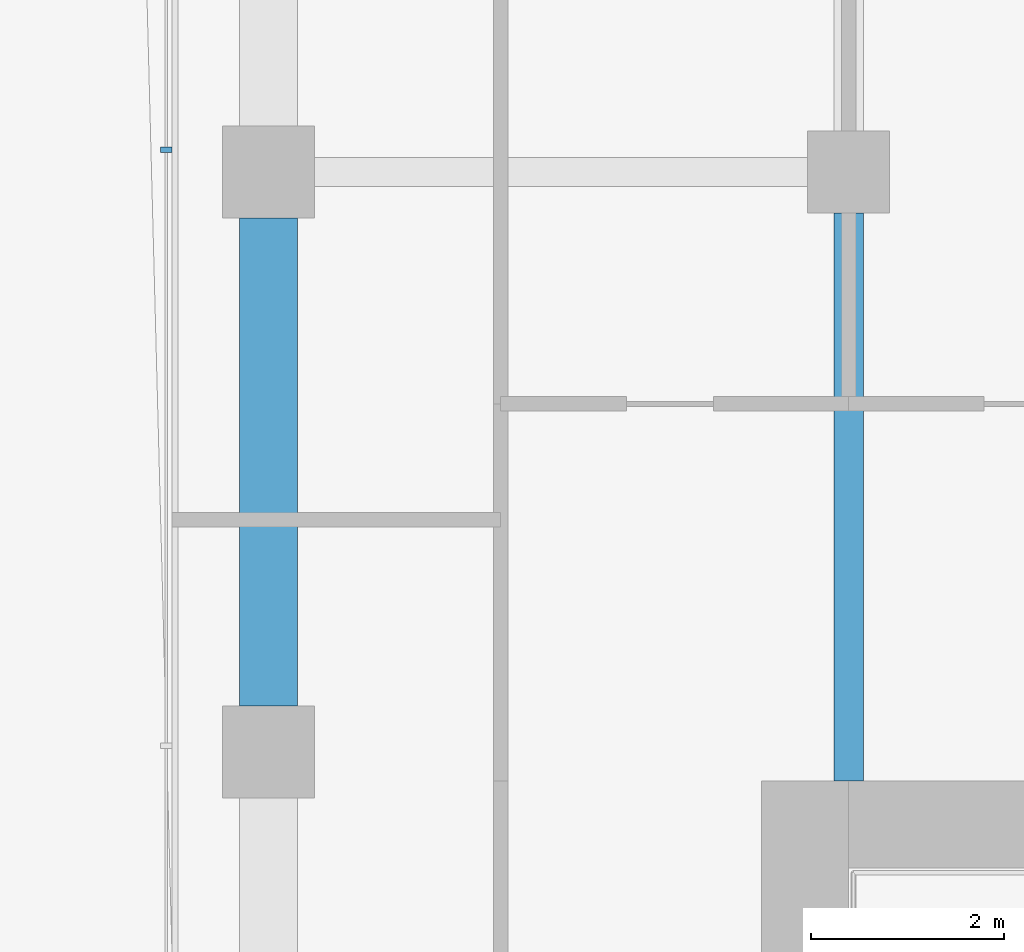
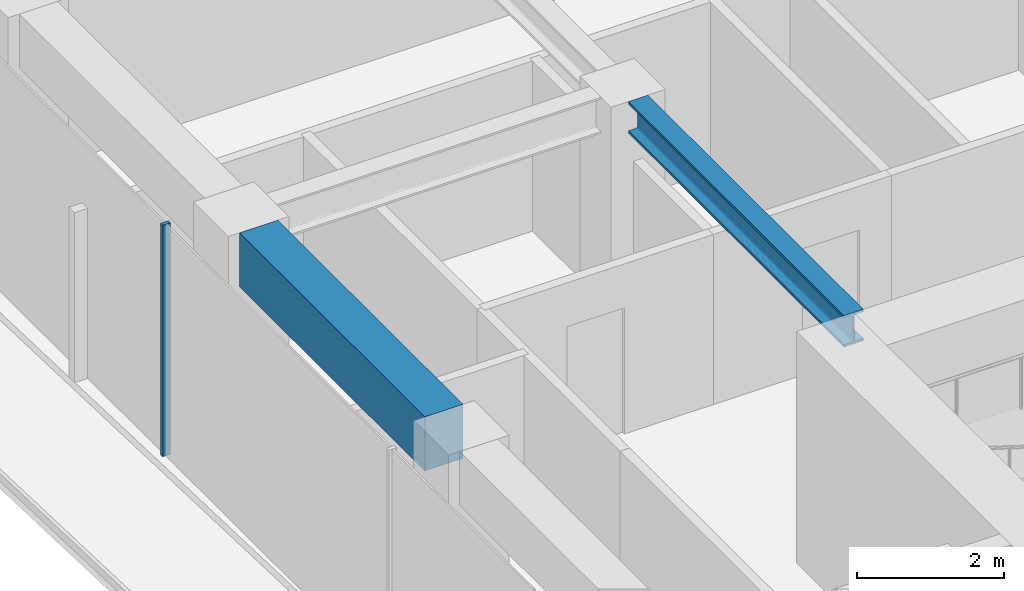
# One storey, part 13 of 29: 2 beams, 1 member, 1 element without a shape of its own.
"""IFC4 building model written with IfcOpenShell, lengths in metres."""

from ifc_helpers import new_model, si_unit, direction, frame, origin, origin_2d, place, context, subcontext, project, spatial, rectangle, i_section, extrude, material, layer, layer_set, material_profile, profile_set, type_object, element, aggregate, save


model = new_model("IFC4")

# Units and contexts
model_context = context("Model", 3, precision=1e-05, world=origin(), true_north=direction((0.0, 1.0)))
body_context = subcontext(model_context, "Body", "Model", "MODEL_VIEW")
ifc_project = project(units=[si_unit("LENGTHUNIT", "METRE"), si_unit("AREAUNIT", "SQUARE_METRE"), si_unit("VOLUMEUNIT", "CUBIC_METRE"), si_unit("PLANEANGLEUNIT", "RADIAN"), si_unit("MASSUNIT", "GRAM", prefix="KILO")], contexts=[model_context])

# Site, building, storey
site_placement = place(None, origin())
site = spatial("IfcSite", under=ifc_project, at=site_placement, CompositionType="ELEMENT")
building_placement = place(site_placement, origin())
building = spatial("IfcBuilding", under=site, at=building_placement, Name="Welwitschia Terrace Campus", CompositionType="ELEMENT")
storey_placement = place(building_placement, frame((0.0, 0.0, 58.39990234375)))
storey = spatial("IfcBuildingStorey", under=building, at=storey_placement, Name="L13", CompositionType="ELEMENT", Elevation=58.39990234375)

# Beam
ifc_material_1 = material(Name="Steel S355", Category="steel")
ifc_material_profile_1 = material_profile(ifc_material_1, i_section(OverallWidth=0.305908203125, OverallDepth=0.52392578125, WebThickness=0.02099609375, FlangeThickness=0.0400390625, FilletRadius=0.027099609375, at=origin_2d()))
ifc_profile_set_1 = profile_set([ifc_material_profile_1], Name="Steel S355")
beam_type_1 = type_object("IfcBeamType", Name="Interior girder HE 500 M", PredefinedType="BEAM", material=ifc_profile_set_1)
beam_1_placement = place(storey_placement, frame((6.0, 25.700927734375, 3.588134765625), z_axis=(0.0, 1.0, 0.0), x_axis=(-1.0, 0.0, 0.0)))
element("IfcBeam", 1, at=beam_1_placement, inside=storey, type_object=beam_type_1, Name="Girder GB2", PredefinedType="BEAM", context=body_context, shape_type="SweptSolid", body=[
    extrude(i_section(OverallWidth=0.305908203125, OverallDepth=0.52392578125, WebThickness=0.02099609375, FlangeThickness=0.0400390625, FilletRadius=0.027099609375, at=origin_2d()), origin(), (0.0, 0.0, 1.0), 5.87353515625),
])

# Curtain wall, member
ifc_material_2 = material(Name="Bronze anodised aluminium", Category="aluminium")
ifc_layer = layer(ifc_material_2, 0.1201171875)
ifc_layer_set = layer_set([ifc_layer], Name="Bronze anodised aluminium")
curtain_wall_type = type_object("IfcCurtainWallType", Name="Curtain wall CW2 tower 6000", PredefinedType="NOTDEFINED", material=ifc_layer_set)
curtain_wall_placement = place(storey_placement, origin())
curtain_wall = element("IfcCurtainWall", 2, at=curtain_wall_placement, inside=storey, type_object=curtain_wall_type, Name="CW L13.12.0", PredefinedType="NOTDEFINED")
ifc_material_3 = material(Name="Bronze anodised aluminium", Category="aluminium")
ifc_material_profile_2 = material_profile(ifc_material_3, rectangle(XDim=0.1201171875, YDim=0.06005859375, at=origin_2d()))
ifc_profile_set_2 = profile_set([ifc_material_profile_2], Name="Bronze anodised aluminium")
member_type = type_object("IfcMemberType", Name="Mullion 60x120", PredefinedType="MULLION", material=ifc_profile_set_2)
member_placement = place(storey_placement, frame((-1.05810546875, 32.22998046875, 0.0), z_axis=(0.0, 0.0, 1.0), x_axis=(1.0, 0.0, 0.0)))
member = element("IfcMember", 3, at=member_placement, type_object=member_type, Name="Mullion L13.12.0.5", PredefinedType="MULLION", context=body_context, shape_type="SweptSolid", body=[
    extrude(rectangle(XDim=0.1201171875, YDim=0.06005859375, at=origin_2d()), origin(), (0.0, 0.0, 1.0), 3.85009765625),
])
aggregate(curtain_wall, [member])

# Beam
ifc_material_4 = material(Name="Concrete C60/75", Category="concrete")
ifc_material_profile_3 = material_profile(ifc_material_4, rectangle(XDim=0.60009765625, YDim=0.89990234375, at=origin_2d()))
ifc_profile_set_3 = profile_set([ifc_material_profile_3], Name="Concrete C60/75")
beam_type_2 = type_object("IfcBeamType", Name="Ring spandrel 600x900", PredefinedType="SPANDREL", material=ifc_profile_set_3)
beam_2_placement = place(storey_placement, frame((0.0, 31.5244140625, 3.400146484375), z_axis=(0.0, -1.0, 0.0), x_axis=(1.0, 0.0, 0.0)))
element("IfcBeam", 4, at=beam_2_placement, inside=storey, type_object=beam_type_2, Name="Spandrel SP2", PredefinedType="SPANDREL", context=body_context, shape_type="SweptSolid", body=[
    extrude(rectangle(XDim=0.60009765625, YDim=0.89990234375, at=origin_2d()), origin(), (0.0, 0.0, 1.0), 5.048828125),
])

save(model, "model.ifc")
